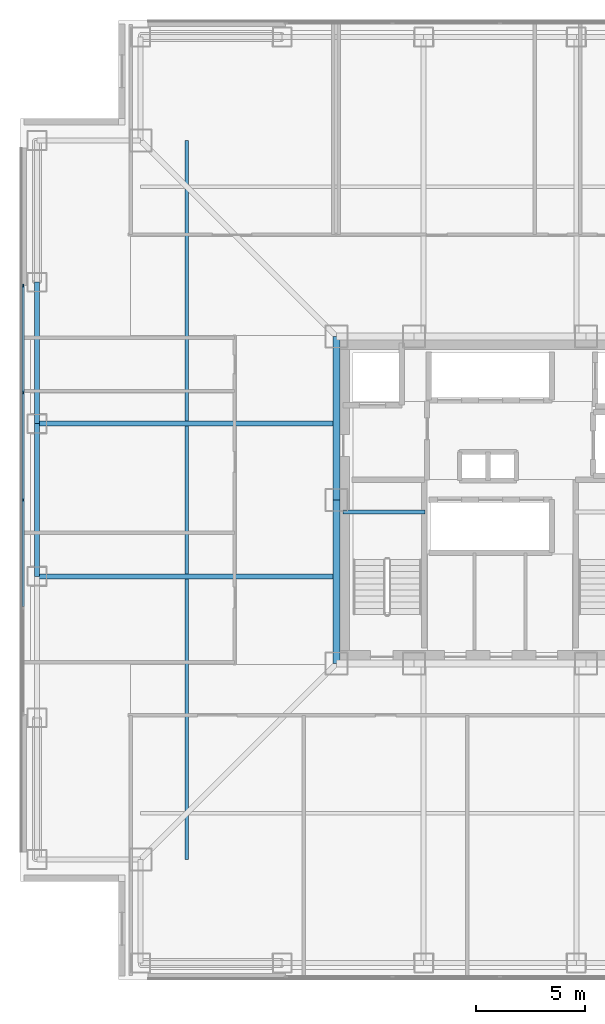
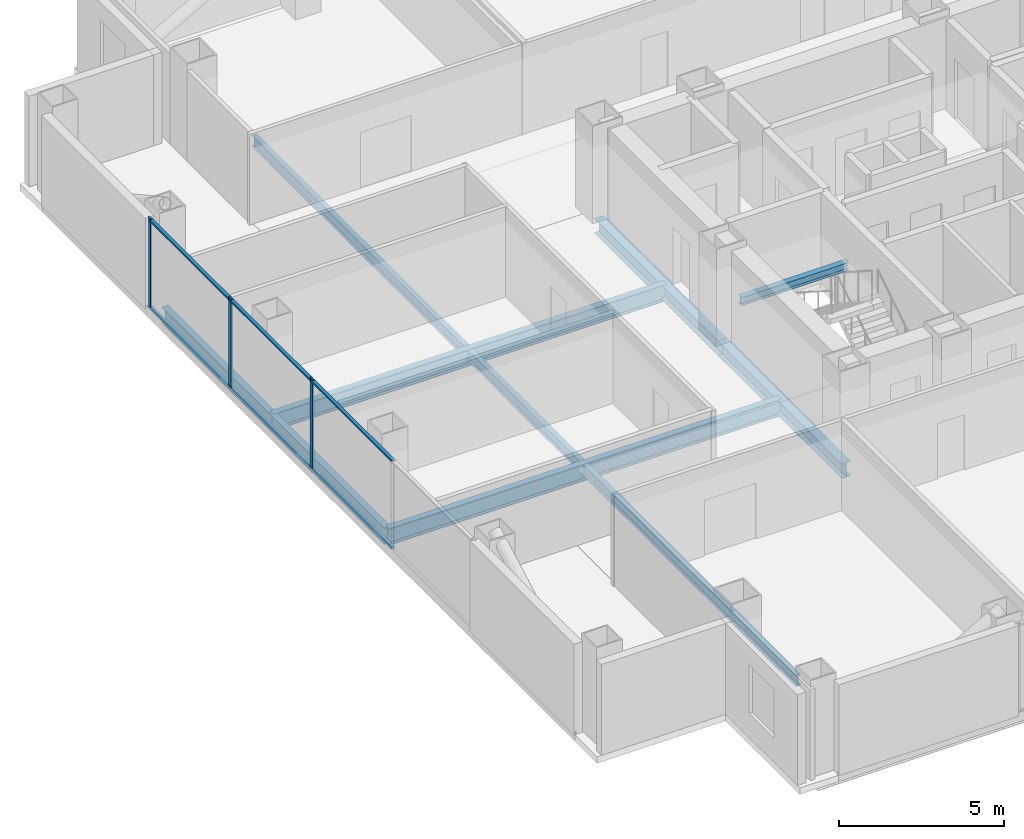
# One storey, part 5 of 16: 9 members, 8 beams, 1 element without a shape of its own.
"""IFC4 building model written with IfcOpenShell, lengths in metres."""

from ifc_helpers import new_model, si_unit, direction, frame, origin, origin_2d, place, context, subcontext, project, spatial, rectangle, i_section, extrude, material, layer, layer_set, material_profile, profile_set, type_object, element, aggregate, save


model = new_model("IFC4")

# Units and contexts
model_context = context("Model", 3, precision=1e-05, world=origin(), true_north=direction((0.0, 1.0)))
body_context = subcontext(model_context, "Body", "Model", "MODEL_VIEW")
ifc_project = project(units=[si_unit("LENGTHUNIT", "METRE"), si_unit("AREAUNIT", "SQUARE_METRE"), si_unit("VOLUMEUNIT", "CUBIC_METRE"), si_unit("PLANEANGLEUNIT", "RADIAN"), si_unit("MASSUNIT", "GRAM", prefix="KILO")], contexts=[model_context])

# Site, building, storey
site_placement = place(None, origin())
site = spatial("IfcSite", under=ifc_project, at=site_placement, CompositionType="ELEMENT")
building_placement = place(site_placement, origin())
building = spatial("IfcBuilding", under=site, at=building_placement, Name="Trevonay Congress Spire", CompositionType="ELEMENT")
storey_placement = place(building_placement, frame((0.0, 0.0, 101.199951171875)))
storey = spatial("IfcBuildingStorey", under=building, at=storey_placement, Name="L25", CompositionType="ELEMENT", Elevation=101.199951171875)

# Beams
ifc_material_1 = material(Name="Steel ASTM A572 Grade 50", Category="steel")
ifc_material_profile_1 = material_profile(ifc_material_1, i_section(OverallWidth=0.31201171875, OverallDepth=0.54296875, WebThickness=0.0126953125, FlangeThickness=0.020263671875, FilletRadius=0.014892578125, at=origin_2d()), Name="W530x150")
ifc_profile_set_1 = profile_set([ifc_material_profile_1], Name="Steel ASTM A572 Grade 50")
beam_type_1 = type_object("IfcBeamType", Name="BM-GIRD-W530X150", PredefinedType="BEAM", material=ifc_profile_set_1)
for number, where, z_axis, x_axis, name in (
    (1, (-7.5, -7.5, -0.511474609375), (0.0, 1.0, 0.0), (-1.0, 0.0, 0.0), "L25 structural beam BM-L25-CR-W1"),
    (2, (-7.5, 0.0, -0.511474609375), (0.0, 1.0, 0.0), (-1.0, 0.0, 0.0), "L25 structural beam BM-L25-CR-W2"),
):
    element("IfcBeam", number, at=place(storey_placement, frame(where, z_axis=z_axis, x_axis=x_axis)), inside=storey, type_object=beam_type_1, Name=name, PredefinedType="BEAM", context=body_context, shape_type="SweptSolid", body=[
        extrude(i_section(OverallWidth=0.31201171875, OverallDepth=0.54296875, WebThickness=0.0126953125, FlangeThickness=0.020263671875, FilletRadius=0.014892578125, at=origin_2d()), origin(), (0.0, 0.0, 1.0), 7.5),
    ])
ifc_material_profile_2 = material_profile(ifc_material_1, i_section(OverallWidth=0.22998046875, OverallDepth=0.616943359375, WebThickness=0.01318359375, FlangeThickness=0.022216796875, FilletRadius=0.01611328125, at=origin_2d()), Name="W610x140")
ifc_profile_set_2 = profile_set([ifc_material_profile_2], Name="Steel ASTM A572 Grade 50")
beam_type_2 = type_object("IfcBeamType", Name="BM-GIRD-W610X140", PredefinedType="BEAM", material=ifc_profile_set_2)
for number, where, z_axis, x_axis, name in (
    (3, (-7.5, -3.5, -0.54833984375), (-1.0, 0.0, 0.0), (0.0, -1.0, 0.0), "L25 structural beam BM-L25-GW-M"),
    (4, (-7.5, 3.5, -0.54833984375), (-1.0, 0.0, 0.0), (0.0, -1.0, 0.0), "L25 structural beam BM-L25-GW-P"),
):
    element("IfcBeam", number, at=place(storey_placement, frame(where, z_axis=z_axis, x_axis=x_axis)), inside=storey, type_object=beam_type_2, Name=name, PredefinedType="BEAM", context=body_context, shape_type="SweptSolid", body=[
        extrude(i_section(OverallWidth=0.22998046875, OverallDepth=0.616943359375, WebThickness=0.01318359375, FlangeThickness=0.022216796875, FilletRadius=0.01611328125, at=origin_2d()), origin(), (0.0, 0.0, 1.0), 13.75),
    ])
ifc_material_profile_3 = material_profile(ifc_material_1, i_section(OverallWidth=0.22802734375, OverallDepth=0.60791015625, WebThickness=0.01123046875, FlangeThickness=0.017333984375, FilletRadius=0.01611328125, at=origin_2d()), Name="W610x113")
ifc_profile_set_3 = profile_set([ifc_material_profile_3], Name="Steel ASTM A572 Grade 50")
beam_type_3 = type_object("IfcBeamType", Name="BM-RING-W610X113", PredefinedType="BEAM", material=ifc_profile_set_3)
beam_1_placement = place(storey_placement, frame((-21.25, -3.5, -0.5439453125), z_axis=(0.0, 1.0, 0.0), x_axis=(-1.0, 0.0, 0.0)))
element("IfcBeam", 5, at=beam_1_placement, inside=storey, type_object=beam_type_3, Name="L25 structural beam BM-L25-PW3", PredefinedType="BEAM", context=body_context, shape_type="SweptSolid", body=[
    extrude(i_section(OverallWidth=0.22802734375, OverallDepth=0.60791015625, WebThickness=0.01123046875, FlangeThickness=0.017333984375, FilletRadius=0.01611328125, at=origin_2d()), origin(), (0.0, 0.0, 1.0), 7.0),
])
beam_2_placement = place(storey_placement, frame((-21.25, 3.5, -0.5439453125), z_axis=(0.0, 1.0, 0.0), x_axis=(-1.0, 0.0, 0.0)))
element("IfcBeam", 6, at=beam_2_placement, inside=storey, type_object=beam_type_3, Name="L25 structural beam BM-L25-PW4", PredefinedType="BEAM", context=body_context, shape_type="SweptSolid", body=[
    extrude(i_section(OverallWidth=0.22802734375, OverallDepth=0.60791015625, WebThickness=0.01123046875, FlangeThickness=0.017333984375, FilletRadius=0.01611328125, at=origin_2d()), origin(), (0.0, 0.0, 1.0), 6.5),
])

# Curtain wall, members
ifc_material_2 = material(Name="Pale Anodised Aluminium EN AW-6063-T6", Category="aluminium")
ifc_layer = layer(ifc_material_2, 0.175048828125, Name="Pale Anodised Aluminium EN AW-6063-T6")
ifc_layer_set = layer_set([ifc_layer], Name="Pale Anodised Aluminium EN AW-6063-T6")
curtain_wall_type = type_object("IfcCurtainWallType", Name="CW-SYS03-CONGRESS-PALE-METAL", PredefinedType="NOTDEFINED", material=ifc_layer_set)
curtain_wall_placement = place(storey_placement, origin())
curtain_wall = element("IfcCurtainWall", 7, at=curtain_wall_placement, inside=storey, type_object=curtain_wall_type, Name="L25 W unitised curtain wall", PredefinedType="NOTDEFINED")
ifc_material_profile_4 = material_profile(ifc_material_2, rectangle(XDim=0.06005859375, YDim=0.159912109375, at=origin_2d()), Name="CW-MULLION-160-ALUMINIUM")
ifc_profile_set_4 = profile_set([ifc_material_profile_4], Name="Pale Anodised Aluminium EN AW-6063-T6")
member_type_1 = type_object("IfcMemberType", Name="CW-MULLION-160-ALUMINIUM", PredefinedType="MULLION", material=ifc_profile_set_4)
member_1_placement = place(storey_placement, frame((-21.8798828125, 0.0, 0.0), z_axis=(0.0, 0.0, 1.0), x_axis=(-1.0, 0.0, 0.0)))
member_1 = element("IfcMember", 8, at=member_1_placement, type_object=member_type_1, Name="CW03 mullion 3", PredefinedType="MULLION", context=body_context, shape_type="SweptSolid", body=[
    extrude(rectangle(XDim=0.06005859375, YDim=0.159912109375, at=origin_2d()), origin(), (0.0, 0.0, 1.0), 3.360107421875),
])
member_2_placement = place(storey_placement, frame((-21.8798828125, 4.925048828125, 0.0), z_axis=(0.0, 0.0, 1.0), x_axis=(-1.0, 0.0, 0.0)))
member_2 = element("IfcMember", 9, at=member_2_placement, type_object=member_type_1, Name="CW03 mullion 4", PredefinedType="MULLION", context=body_context, shape_type="SweptSolid", body=[
    extrude(rectangle(XDim=0.06005859375, YDim=0.159912109375, at=origin_2d()), origin(), (0.0, 0.0, 1.0), 3.360107421875),
])
member_3_placement = place(storey_placement, frame((-21.8798828125, 9.820068359375, 0.0), z_axis=(0.0, 0.0, 1.0), x_axis=(-1.0, 0.0, 0.0)))
member_3 = element("IfcMember", 10, at=member_3_placement, type_object=member_type_1, Name="CW03 mullion 5", PredefinedType="MULLION", context=body_context, shape_type="SweptSolid", body=[
    extrude(rectangle(XDim=0.06005859375, YDim=0.159912109375, at=origin_2d()), origin(), (0.0, 0.0, 1.0), 3.360107421875),
])
ifc_material_profile_5 = material_profile(ifc_material_2, rectangle(XDim=0.1201171875, YDim=0.06005859375, at=origin_2d()), Name="CW-TRANSOM-120-ALUMINIUM")
ifc_profile_set_5 = profile_set([ifc_material_profile_5], Name="Pale Anodised Aluminium EN AW-6063-T6")
member_type_2 = type_object("IfcMemberType", Name="CW-TRANSOM-120-ALUMINIUM", PredefinedType="USERDEFINED", material=ifc_profile_set_5)
member_4_placement = place(storey_placement, frame((-21.8798828125, -4.89501953125, 0.06005859375), z_axis=(0.0, 1.0, 0.0), x_axis=(-1.0, 0.0, 0.0)))
member_4 = element("IfcMember", 11, at=member_4_placement, type_object=member_type_2, Name="CW03 transom 2.1", ObjectType="TRANSOM", PredefinedType="USERDEFINED", context=body_context, shape_type="SweptSolid", body=[
    extrude(rectangle(XDim=0.1201171875, YDim=0.06005859375, at=origin_2d()), origin(), (0.0, 0.0, 1.0), 4.864990234375),
])
member_5_placement = place(storey_placement, frame((-21.8798828125, -4.89501953125, 3.300048828125), z_axis=(0.0, 1.0, 0.0), x_axis=(-1.0, 0.0, 0.0)))
member_5 = element("IfcMember", 12, at=member_5_placement, type_object=member_type_2, Name="CW03 transom 2.2", ObjectType="TRANSOM", PredefinedType="USERDEFINED", context=body_context, shape_type="SweptSolid", body=[
    extrude(rectangle(XDim=0.1201171875, YDim=0.06005859375, at=origin_2d()), origin(), (0.0, 0.0, 1.0), 4.864990234375),
])
member_6_placement = place(storey_placement, frame((-21.8798828125, 0.030029296875, 0.06005859375), z_axis=(0.0, 1.0, 0.0), x_axis=(-1.0, 0.0, 0.0)))
member_6 = element("IfcMember", 13, at=member_6_placement, type_object=member_type_2, Name="CW03 transom 3.1", ObjectType="TRANSOM", PredefinedType="USERDEFINED", context=body_context, shape_type="SweptSolid", body=[
    extrude(rectangle(XDim=0.1201171875, YDim=0.06005859375, at=origin_2d()), origin(), (0.0, 0.0, 1.0), 4.864990234375),
])
member_7_placement = place(storey_placement, frame((-21.8798828125, 0.030029296875, 3.300048828125), z_axis=(0.0, 1.0, 0.0), x_axis=(-1.0, 0.0, 0.0)))
member_7 = element("IfcMember", 14, at=member_7_placement, type_object=member_type_2, Name="CW03 transom 3.2", ObjectType="TRANSOM", PredefinedType="USERDEFINED", context=body_context, shape_type="SweptSolid", body=[
    extrude(rectangle(XDim=0.1201171875, YDim=0.06005859375, at=origin_2d()), origin(), (0.0, 0.0, 1.0), 4.864990234375),
])
member_8_placement = place(storey_placement, frame((-21.8798828125, 4.955078125, 0.06005859375), z_axis=(0.0, 1.0, 0.0), x_axis=(-1.0, 0.0, 0.0)))
member_8 = element("IfcMember", 15, at=member_8_placement, type_object=member_type_2, Name="CW03 transom 4.1", ObjectType="TRANSOM", PredefinedType="USERDEFINED", context=body_context, shape_type="SweptSolid", body=[
    extrude(rectangle(XDim=0.1201171875, YDim=0.06005859375, at=origin_2d()), origin(), (0.0, 0.0, 1.0), 4.8349609375),
])
member_9_placement = place(storey_placement, frame((-21.8798828125, 4.955078125, 3.300048828125), z_axis=(0.0, 1.0, 0.0), x_axis=(-1.0, 0.0, 0.0)))
member_9 = element("IfcMember", 16, at=member_9_placement, type_object=member_type_2, Name="CW03 transom 4.2", ObjectType="TRANSOM", PredefinedType="USERDEFINED", context=body_context, shape_type="SweptSolid", body=[
    extrude(rectangle(XDim=0.1201171875, YDim=0.06005859375, at=origin_2d()), origin(), (0.0, 0.0, 1.0), 4.8349609375),
])
aggregate(curtain_wall, [member_1, member_2, member_3, member_4, member_5, member_6, member_7, member_8, member_9])

# Beams
ifc_material_profile_6 = material_profile(ifc_material_1, i_section(OverallWidth=0.177978515625, OverallDepth=0.406982421875, WebThickness=0.0078125, FlangeThickness=0.0126953125, FilletRadius=0.012939453125, at=origin_2d()), Name="W410x60")
ifc_profile_set_6 = profile_set([ifc_material_profile_6], Name="Steel ASTM A572 Grade 50")
beam_type_4 = type_object("IfcBeamType", Name="JS-COMP-W410X60", PredefinedType="JOIST", material=ifc_profile_set_6)
beam_3_placement = place(storey_placement, frame((-14.375, -16.5, -0.443359375), z_axis=(0.0, 1.0, 0.0), x_axis=(-1.0, 0.0, 0.0)))
element("IfcBeam", 17, at=beam_3_placement, inside=storey, type_object=beam_type_4, Name="L25 structural beam JS-L25-RING-W", PredefinedType="JOIST", context=body_context, shape_type="SweptSolid", body=[
    extrude(i_section(OverallWidth=0.177978515625, OverallDepth=0.406982421875, WebThickness=0.0078125, FlangeThickness=0.0126953125, FilletRadius=0.012939453125, at=origin_2d()), origin(), (0.0, 0.0, 1.0), 33.0),
])
ifc_material_profile_7 = material_profile(ifc_material_1, i_section(OverallWidth=0.2041015625, OverallDepth=0.305908203125, WebThickness=0.008544921875, FlangeThickness=0.0146484375, FilletRadius=0.010986328125, at=origin_2d()), Name="W310x67")
ifc_profile_set_7 = profile_set([ifc_material_profile_7], Name="Steel ASTM A572 Grade 50")
beam_type_5 = type_object("IfcBeamType", Name="LN-CORE-W310X67", PredefinedType="LINTEL", material=ifc_profile_set_7)
beam_4_placement = place(storey_placement, frame((-7.199951171875, -0.550048828125, 1.447021484375), z_axis=(1.0, 0.0, 0.0), x_axis=(0.0, 1.0, 0.0)))
element("IfcBeam", 18, at=beam_4_placement, inside=storey, type_object=beam_type_5, Name="L25 structural beam BM-L25-HL-ST1", PredefinedType="LINTEL", context=body_context, shape_type="SweptSolid", body=[
    extrude(i_section(OverallWidth=0.2041015625, OverallDepth=0.305908203125, WebThickness=0.008544921875, FlangeThickness=0.0146484375, FilletRadius=0.010986328125, at=origin_2d()), origin(), (0.0, 0.0, 1.0), 3.75),
])

save(model, "model.ifc")
